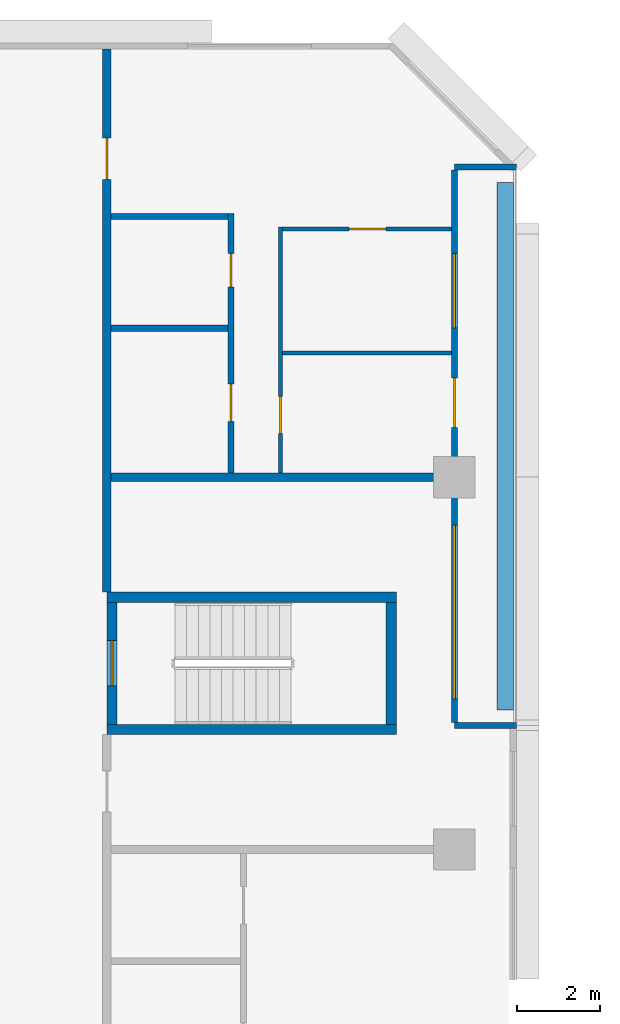
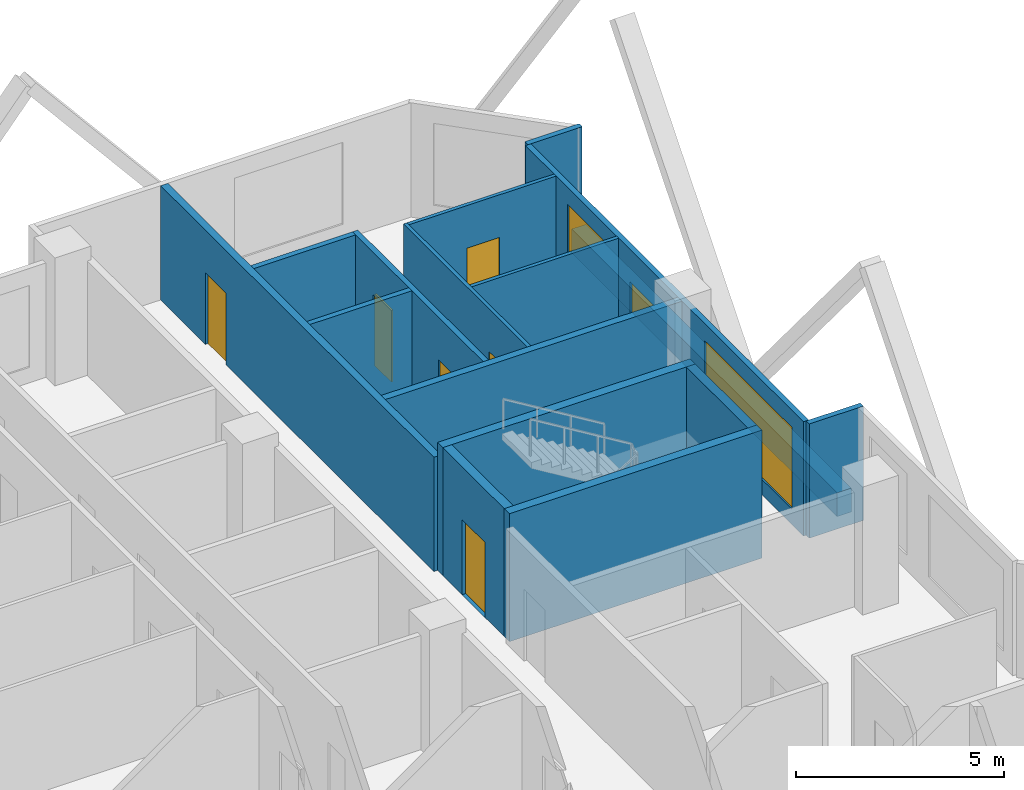
# One storey, part 11 of 15: 16 walls, 7 doors, 2 windows, 9 openings.
"""IFC4 building model written with IfcOpenShell, lengths in metres."""

from ifc_helpers import new_model, si_unit, direction, frame, frame_2d, origin, place, context, subcontext, project, spatial, rectangle, extrude, material, layer, layer_set, type_object, element, fill, save


model = new_model("IFC4")

# Units and contexts
model_context = context("Model", 3, precision=1e-05, world=origin(), true_north=direction((0.0, 1.0)))
body_context = subcontext(model_context, "Body", "Model", "MODEL_VIEW")
ifc_project = project(units=[si_unit("LENGTHUNIT", "METRE"), si_unit("AREAUNIT", "SQUARE_METRE"), si_unit("VOLUMEUNIT", "CUBIC_METRE"), si_unit("PLANEANGLEUNIT", "RADIAN"), si_unit("MASSUNIT", "GRAM", prefix="KILO")], contexts=[model_context])

# Site, building, storey
site_placement = place(None, origin())
site = spatial("IfcSite", under=ifc_project, at=site_placement, CompositionType="ELEMENT")
building_placement = place(site_placement, origin())
building = spatial("IfcBuilding", under=site, at=building_placement, Name="Chenar Terraces", CompositionType="ELEMENT")
storey_placement = place(building_placement, frame((0.0, 0.0, 121.89990234375)))
storey = spatial("IfcBuildingStorey", under=building, at=storey_placement, Name="L28", CompositionType="ELEMENT", Elevation=121.89990234375)

# Walls
ifc_material_1 = material(Name="Concrete C70/85", Category="concrete")
ifc_layer_1 = layer(ifc_material_1, 0.25)
ifc_layer_set_1 = layer_set([ifc_layer_1], Name="Concrete C70/85")
wall_type_1 = type_object("IfcWallType", Name="Core wall 250 Concrete C70/85", PredefinedType="SHEAR", material=ifc_layer_set_1)
for number, where, z_axis, x_axis, name in (
    (1, (15.60009765625, 47.89990234375, 0.0), (0.0, 0.0, 1.0), (1.0, 0.0, 0.0), "Core wall ST4_S L28"),
    (2, (15.60009765625, 51.10009765625, 0.0), (0.0, 0.0, 1.0), (1.0, 0.0, 0.0), "Core wall ST4_N L28"),
):
    element("IfcWall", number, at=place(storey_placement, frame(where, z_axis=z_axis, x_axis=x_axis)), inside=storey, type_object=wall_type_1, Name=name, PredefinedType="SHEAR", context=body_context, shape_type="SweptSolid", body=[
        extrude(rectangle(XDim=7.0, YDim=0.25, at=frame_2d((3.5, 0.0))), origin(), (0.0, 0.0, 1.0), 3.75),
    ])

# Wall, opening, door
wall_1_placement = place(storey_placement, frame((15.72509765625, 48.02490234375, 0.0), z_axis=(0.0, 0.0, 1.0), x_axis=(0.0, 1.0, 0.0)))
wall_1 = element("IfcWall", 3, at=wall_1_placement, inside=storey, type_object=wall_type_1, Name="Core wall ST4_W L28", PredefinedType="SHEAR", context=body_context, shape_type="SweptSolid", body=[
    extrude(rectangle(XDim=2.9501953125, YDim=0.25, at=frame_2d((1.47509765625, 0.0))), origin(), (0.0, 0.0, 1.0), 3.75),
])
opening_1_placement = place(wall_1_placement, frame((0.925048828125, 0.0, 0.0)))
opening_1 = element("IfcOpeningElement", 4, at=opening_1_placement, cuts=wall_1, Name="Opening DL28-C9", PredefinedType="OPENING", context=body_context, shape_type="SweptSolid", body=[
    extrude(rectangle(XDim=1.10009765625, YDim=2.199951171875, at=frame_2d((0.550048828125, 1.10009765625))), frame((0.0, 0.135009765625, 0.0), z_axis=(0.0, -1.0, 0.0), x_axis=(1.0, 0.0, 0.0)), (0.0, 0.0, 1.0), 0.27001953125),
])
ifc_material_2 = material(Name="Steel-framed fire-resisting door leaf", Category="steel")
door_type_1 = type_object("IfcDoorType", Name="Stair fire door FD60 1100 x 2200", OperationType="SINGLE_SWING_LEFT", PredefinedType="DOOR", material=ifc_material_2)
door_1_placement = place(opening_1_placement, frame((1.10009765625, 0.0, 0.0), z_axis=(0.0, 0.0, 1.0), x_axis=(-1.0, 0.0, 0.0)))
door_1 = element("IfcDoor", 5, at=door_1_placement, inside=storey, type_object=door_type_1, Name="Stair door DL28-C9", OperationType="SINGLE_SWING_RIGHT", OverallHeight=2.199951171875, OverallWidth=1.10009765625, PredefinedType="DOOR", context=body_context, shape_type="SweptSolid", body=[
    extrude(rectangle(XDim=1.10009765625, YDim=2.199951171875, at=frame_2d((0.550048828125, 1.10009765625))), frame((0.0, 0.02490234375, 0.0), z_axis=(0.0, -1.0, 0.0), x_axis=(1.0, 0.0, 0.0)), (0.0, 0.0, 1.0), 0.050048828125),
])
fill(opening_1, door_1)

# Wall
wall_2_placement = place(storey_placement, frame((22.47509765625, 48.02490234375, 0.0), z_axis=(0.0, 0.0, 1.0), x_axis=(0.0, 1.0, 0.0)))
element("IfcWall", 6, at=wall_2_placement, inside=storey, type_object=wall_type_1, Name="Core wall ST4_E L28", PredefinedType="SHEAR", context=body_context, shape_type="SweptSolid", body=[
    extrude(rectangle(XDim=2.9501953125, YDim=0.25, at=frame_2d((1.47509765625, 0.0))), origin(), (0.0, 0.0, 1.0), 3.75),
])

# Wall, opening, door
ifc_material_3 = material(Name="Gypsum board on steel studs with fire boards", Category="steel")
ifc_layer_2 = layer(ifc_material_3, 0.199951171875)
ifc_layer_set_2 = layer_set([ifc_layer_2], Name="Gypsum board on steel studs with fire boards")
wall_type_2 = type_object("IfcWallType", Name="Corridor wall 200", PredefinedType="PARTITIONING", material=ifc_layer_set_2)
wall_3_placement = place(storey_placement, frame((15.60009765625, 51.22509765625, 0.0), z_axis=(0.0, 0.0, 1.0), x_axis=(0.0, 1.0, 0.0)))
wall_3 = element("IfcWall", 7, at=wall_3_placement, inside=storey, type_object=wall_type_2, Name="Partition L28-038", PredefinedType="PARTITIONING", context=body_context, shape_type="SweptSolid", body=[
    extrude(rectangle(XDim=13.125, YDim=0.199951171875, at=frame_2d((6.5625, 0.0))), origin(), (0.0, 0.0, 1.0), 3.35009765625),
])
opening_2_placement = place(wall_3_placement, frame((9.97509765625, 0.0, 0.0)))
opening_2 = element("IfcOpeningElement", 8, at=opening_2_placement, cuts=wall_3, Name="Opening DL28-31", PredefinedType="OPENING", context=body_context, shape_type="SweptSolid", body=[
    extrude(rectangle(XDim=1.0, YDim=2.10009765625, at=frame_2d((0.5, 1.050048828125))), frame((0.0, 0.10986328125, 0.0), z_axis=(0.0, -1.0, 0.0), x_axis=(1.0, 0.0, 0.0)), (0.0, 0.0, 1.0), 0.219970703125),
])
ifc_material_4 = material(Name="Steel-framed fire-resisting door leaf", Category="steel")
door_type_2 = type_object("IfcDoorType", Name="Fire door FD30S 1000 x 2100", OperationType="SINGLE_SWING_LEFT", PredefinedType="DOOR", material=ifc_material_4)
door_2_placement = place(opening_2_placement, frame((1.0, 0.0, 0.0), z_axis=(0.0, 0.0, 1.0), x_axis=(-1.0, 0.0, 0.0)))
door_2 = element("IfcDoor", 9, at=door_2_placement, inside=storey, type_object=door_type_2, Name="Door DL28-31", OperationType="SINGLE_SWING_RIGHT", OverallHeight=2.10009765625, OverallWidth=1.0, PredefinedType="DOOR", context=body_context, shape_type="SweptSolid", body=[
    extrude(rectangle(XDim=1.0, YDim=2.10009765625, at=frame_2d((0.5, 1.050048828125))), frame((0.0, 0.02490234375, 0.0), z_axis=(0.0, -1.0, 0.0), x_axis=(1.0, 0.0, 0.0)), (0.0, 0.0, 1.0), 0.050048828125),
])
fill(opening_2, door_2)

# Wall, openings, windows, door
ifc_material_5 = material(Name="Aluminium framed glazing", Category="aluminium")
ifc_layer_3 = layer(ifc_material_5, 0.14990234375)
ifc_layer_set_3 = layer_set([ifc_layer_3], Name="Aluminium framed glazing")
wall_type_3 = type_object("IfcWallType", Name="Glazed loggia back wall 150", PredefinedType="SOLIDWALL", material=ifc_layer_set_3)
wall_4_placement = place(storey_placement, frame((24.0, 48.074951171875, 0.0), z_axis=(0.0, 0.0, 1.0), x_axis=(0.0, 1.0, 0.0)))
wall_4 = element("IfcWall", 10, at=wall_4_placement, inside=storey, type_object=wall_type_3, Name="Glazed loggia back wall", PredefinedType="SOLIDWALL", context=body_context, shape_type="SweptSolid", body=[
    extrude(rectangle(XDim=13.35009765625, YDim=0.14990234375, at=frame_2d((6.675048828125, 0.0))), origin(), (0.0, 0.0, 1.0), 3.35009765625),
])
opening_3_placement = place(wall_4_placement, frame((0.5625, 0.0, 0.449951171875)))
opening_3 = element("IfcOpeningElement", 11, at=opening_3_placement, cuts=wall_4, Name="Opening W420x240", PredefinedType="OPENING", context=body_context, shape_type="SweptSolid", body=[
    extrude(rectangle(XDim=4.199951171875, YDim=2.39990234375, at=frame_2d((2.10009765625, 1.199951171875))), frame((0.0, 0.0849609375, 0.0), z_axis=(0.0, -1.0, 0.0), x_axis=(1.0, 0.0, 0.0)), (0.0, 0.0, 1.0), 0.169921875),
])
opening_4_placement = place(wall_4_placement, frame((7.125, 0.0, 0.0)))
opening_4 = element("IfcOpeningElement", 12, at=opening_4_placement, cuts=wall_4, Name="Opening DL28-G2", PredefinedType="OPENING", context=body_context, shape_type="SweptSolid", body=[
    extrude(rectangle(XDim=1.199951171875, YDim=2.39990234375, at=frame_2d((0.60009765625, 1.199951171875))), frame((0.0, 0.0849609375, 0.0), z_axis=(0.0, -1.0, 0.0), x_axis=(1.0, 0.0, 0.0)), (0.0, 0.0, 1.0), 0.169921875),
])
opening_5_placement = place(wall_4_placement, frame((9.52490234375, 0.0, 0.449951171875)))
opening_5 = element("IfcOpeningElement", 13, at=opening_5_placement, cuts=wall_4, Name="Opening W180x240", PredefinedType="OPENING", context=body_context, shape_type="SweptSolid", body=[
    extrude(rectangle(XDim=1.800048828125, YDim=2.39990234375, at=frame_2d((0.89990234375, 1.199951171875))), frame((0.0, 0.0849609375, 0.0), z_axis=(0.0, -1.0, 0.0), x_axis=(1.0, 0.0, 0.0)), (0.0, 0.0, 1.0), 0.169921875),
])
ifc_material_6 = material(Name="Low emissivity double glazing, aluminium frame", Category="aluminium")
window_type_1 = type_object("IfcWindowType", Name="Fixed light 1800 x 2400", PartitioningType="SINGLE_PANEL", PredefinedType="WINDOW", material=ifc_material_6)
window_1_placement = place(opening_5_placement, origin())
window_1 = element("IfcWindow", 14, at=window_1_placement, inside=storey, type_object=window_type_1, Name="Window", OverallHeight=2.39990234375, OverallWidth=1.800048828125, PartitioningType="SINGLE_PANEL", PredefinedType="WINDOW", context=body_context, shape_type="SweptSolid", body=[
    extrude(rectangle(XDim=1.800048828125, YDim=2.39990234375, at=frame_2d((0.89990234375, 1.199951171875))), frame((0.0, 0.030029296875, 0.0), z_axis=(0.0, -1.0, 0.0), x_axis=(1.0, 0.0, 0.0)), (0.0, 0.0, 1.0), 0.06005859375),
])
fill(opening_5, window_1)
ifc_material_7 = material(Name="Low emissivity double glazing, aluminium frame", Category="aluminium")
window_type_2 = type_object("IfcWindowType", Name="Fixed light 4200 x 2400", PartitioningType="SINGLE_PANEL", PredefinedType="WINDOW", material=ifc_material_7)
window_2_placement = place(opening_3_placement, origin())
window_2 = element("IfcWindow", 15, at=window_2_placement, inside=storey, type_object=window_type_2, Name="Window", OverallHeight=2.39990234375, OverallWidth=4.199951171875, PartitioningType="SINGLE_PANEL", PredefinedType="WINDOW", context=body_context, shape_type="SweptSolid", body=[
    extrude(rectangle(XDim=4.199951171875, YDim=2.39990234375, at=frame_2d((2.10009765625, 1.199951171875))), frame((0.0, 0.030029296875, 0.0), z_axis=(0.0, -1.0, 0.0), x_axis=(1.0, 0.0, 0.0)), (0.0, 0.0, 1.0), 0.06005859375),
])
fill(opening_3, window_2)
ifc_material_8 = material(Name="Low emissivity double glazing, aluminium frame", Category="aluminium")
door_type_3 = type_object("IfcDoorType", Name="Loggia glazed double door 1200 x 2400", OperationType="DOUBLE_DOOR_SINGLE_SWING", PredefinedType="DOOR", material=ifc_material_8)
door_3_placement = place(opening_4_placement, frame((1.199951171875, 0.0, 0.0), z_axis=(0.0, 0.0, 1.0), x_axis=(-1.0, 0.0, 0.0)))
door_3 = element("IfcDoor", 16, at=door_3_placement, inside=storey, type_object=door_type_3, Name="Loggia glazed door", OperationType="DOUBLE_DOOR_SINGLE_SWING", OverallHeight=2.39990234375, OverallWidth=1.199951171875, PredefinedType="DOOR", context=body_context, shape_type="SweptSolid", body=[
    extrude(rectangle(XDim=1.199951171875, YDim=2.39990234375, at=frame_2d((0.60009765625, 1.199951171875))), frame((0.0, 0.02490234375, 0.0), z_axis=(0.0, -1.0, 0.0), x_axis=(1.0, 0.0, 0.0)), (0.0, 0.0, 1.0), 0.050048828125),
])
fill(opening_4, door_3)

# Wall, opening, door
ifc_material_9 = material(Name="Gypsum board on steel studs", Category="steel")
ifc_layer_4 = layer(ifc_material_9, 0.10009765625)
ifc_layer_set_4 = layer_set([ifc_layer_4], Name="Gypsum board on steel studs")
wall_type_4 = type_object("IfcWallType", Name="Gypsum partition 100", PredefinedType="PARTITIONING", material=ifc_layer_set_4)
wall_5_placement = place(storey_placement, frame((19.800048828125, 54.10009765625, 0.0), z_axis=(0.0, 0.0, 1.0), x_axis=(0.0, 1.0, 0.0)))
wall_5 = element("IfcWall", 17, at=wall_5_placement, inside=storey, type_object=wall_type_4, Name="Partition L28-050", PredefinedType="PARTITIONING", context=body_context, shape_type="SweptSolid", body=[
    extrude(rectangle(XDim=5.949951171875, YDim=0.10009765625, at=frame_2d((2.97509765625, 0.0))), origin(), (0.0, 0.0, 1.0), 3.35009765625),
])
opening_6_placement = place(wall_5_placement, frame((0.949951171875, 0.0, 0.0)))
opening_6 = element("IfcOpeningElement", 18, at=opening_6_placement, cuts=wall_5, Name="Opening DL28-28", PredefinedType="OPENING", context=body_context, shape_type="SweptSolid", body=[
    extrude(rectangle(XDim=0.89990234375, YDim=2.10009765625, at=frame_2d((0.449951171875, 1.050048828125))), frame((0.0, 0.06005859375, 0.0), z_axis=(0.0, -1.0, 0.0), x_axis=(1.0, 0.0, 0.0)), (0.0, 0.0, 1.0), 0.1201171875),
])
ifc_material_10 = material(Name="Veneered timber door leaf", Category="wood")
door_type_4 = type_object("IfcDoorType", Name="Door 900 x 2100", OperationType="SINGLE_SWING_LEFT", PredefinedType="DOOR", material=ifc_material_10)
door_4_placement = place(opening_6_placement, frame((0.89990234375, 0.0, 0.0), z_axis=(0.0, 0.0, 1.0), x_axis=(-1.0, 0.0, 0.0)))
door_4 = element("IfcDoor", 19, at=door_4_placement, inside=storey, type_object=door_type_4, Name="Door DL28-28", OperationType="SINGLE_SWING_LEFT", OverallHeight=2.10009765625, OverallWidth=0.89990234375, PredefinedType="DOOR", context=body_context, shape_type="SweptSolid", body=[
    extrude(rectangle(XDim=0.89990234375, YDim=2.10009765625, at=frame_2d((0.449951171875, 1.050048828125))), frame((0.0, 0.02490234375, 0.0), z_axis=(0.0, -1.0, 0.0), x_axis=(1.0, 0.0, 0.0)), (0.0, 0.0, 1.0), 0.050048828125),
])
fill(opening_6, door_4)

# Wall
wall_6_placement = place(storey_placement, frame((19.85009765625, 57.0, 0.0), z_axis=(0.0, 0.0, 1.0), x_axis=(1.0, 0.0, 0.0)))
element("IfcWall", 20, at=wall_6_placement, inside=storey, type_object=wall_type_4, Name="Partition L28-051", PredefinedType="PARTITIONING", context=body_context, shape_type="SweptSolid", body=[
    extrude(rectangle(XDim=4.075927734375, YDim=0.10009765625, at=frame_2d((2.0380859375, 0.0))), origin(), (0.0, 0.0, 1.0), 3.35009765625),
])

# Wall, opening, door
wall_7_placement = place(storey_placement, frame((19.85009765625, 60.0, 0.0), z_axis=(0.0, 0.0, 1.0), x_axis=(1.0, 0.0, 0.0)))
wall_7 = element("IfcWall", 21, at=wall_7_placement, inside=storey, type_object=wall_type_4, Name="Partition L28-052", PredefinedType="PARTITIONING", context=body_context, shape_type="SweptSolid", body=[
    extrude(rectangle(XDim=4.075927734375, YDim=0.10009765625, at=frame_2d((2.0380859375, 0.0))), origin(), (0.0, 0.0, 1.0), 3.35009765625),
])
opening_7_placement = place(wall_7_placement, frame((1.60009765625, 0.0, 0.0)))
opening_7 = element("IfcOpeningElement", 22, at=opening_7_placement, cuts=wall_7, Name="Opening DL28-29", PredefinedType="OPENING", context=body_context, shape_type="SweptSolid", body=[
    extrude(rectangle(XDim=0.89990234375, YDim=2.10009765625, at=frame_2d((0.449951171875, 1.050048828125))), frame((0.0, 0.06005859375, 0.0), z_axis=(0.0, -1.0, 0.0), x_axis=(1.0, 0.0, 0.0)), (0.0, 0.0, 1.0), 0.1201171875),
])
door_5_placement = place(opening_7_placement, frame((0.89990234375, 0.0, 0.0), z_axis=(0.0, 0.0, 1.0), x_axis=(-1.0, 0.0, 0.0)))
door_5 = element("IfcDoor", 23, at=door_5_placement, inside=storey, type_object=door_type_4, Name="Door DL28-29", OperationType="SINGLE_SWING_LEFT", OverallHeight=2.10009765625, OverallWidth=0.89990234375, PredefinedType="DOOR", context=body_context, shape_type="SweptSolid", body=[
    extrude(rectangle(XDim=0.89990234375, YDim=2.10009765625, at=frame_2d((0.449951171875, 1.050048828125))), frame((0.0, 0.02490234375, 0.0), z_axis=(0.0, -1.0, 0.0), x_axis=(1.0, 0.0, 0.0)), (0.0, 0.0, 1.0), 0.050048828125),
])
fill(opening_7, door_5)

# Walls
ifc_material_11 = material(Name="Terracotta cladding on insulated backing", Category="masonry")
ifc_layer_5 = layer(ifc_material_11, 0.14990234375)
ifc_layer_set_5 = layer_set([ifc_layer_5], Name="Terracotta cladding on insulated backing")
wall_type_5 = type_object("IfcWallType", Name="Loggia return wall 150", PredefinedType="SOLIDWALL", material=ifc_layer_set_5)
for number, where, z_axis, x_axis, name in (
    (24, (25.5, 48.0, 0.0), (0.0, 0.0, 1.0), (-1.0, 0.0, 0.0), "Loggia return wall"),
    (25, (25.5, 61.5, 0.0), (0.0, 0.0, 1.0), (-1.0, 0.0, 0.0), "Loggia return wall"),
):
    element("IfcWall", number, at=place(storey_placement, frame(where, z_axis=z_axis, x_axis=x_axis)), inside=storey, type_object=wall_type_5, Name=name, PredefinedType="SOLIDWALL", context=body_context, shape_type="SweptSolid", body=[
        extrude(rectangle(XDim=1.5, YDim=0.14990234375, at=frame_2d((0.75, 0.0))), origin(), (0.0, 0.0, 1.0), 3.35009765625),
    ])
ifc_material_12 = material(Name="Twin gypsum board on steel studs with mineral wool", Category="steel")
ifc_layer_6 = layer(ifc_material_12, 0.199951171875)
ifc_layer_set_6 = layer_set([ifc_layer_6], Name="Twin gypsum board on steel studs with mineral wool")
wall_type_6 = type_object("IfcWallType", Name="Unit demising wall 200", PredefinedType="PARTITIONING", material=ifc_layer_set_6)
wall_8_placement = place(storey_placement, frame((15.699951171875, 54.0, 0.0), z_axis=(0.0, 0.0, 1.0), x_axis=(1.0, 0.0, 0.0)))
element("IfcWall", 26, at=wall_8_placement, inside=storey, type_object=wall_type_6, Name="Partition L28-045", PredefinedType="PARTITIONING", context=body_context, shape_type="SweptSolid", body=[
    extrude(rectangle(XDim=8.22607421875, YDim=0.199951171875, at=frame_2d((4.113037109375, 0.0))), origin(), (0.0, 0.0, 1.0), 3.35009765625),
])
ifc_material_13 = material(Name="GRP planter trough")
ifc_layer_7 = layer(ifc_material_13, 0.39990234375)
ifc_layer_set_7 = layer_set([ifc_layer_7], Name="GRP planter trough")
wall_type_7 = type_object("IfcWallType", Name="Vertical greenery planter 400", PredefinedType="SOLIDWALL", material=ifc_layer_set_7)
wall_9_placement = place(storey_placement, frame((25.22900390625, 48.375, 0.0), z_axis=(0.0, 0.0, 1.0), x_axis=(0.0, 1.0, 0.0)))
element("IfcWall", 27, at=wall_9_placement, inside=storey, type_object=wall_type_7, Name="Vertical greenery planter", PredefinedType="SOLIDWALL", context=body_context, shape_type="SweptSolid", body=[
    extrude(rectangle(XDim=12.75, YDim=0.39990234375, at=frame_2d((6.375, 0.0))), origin(), (0.0, 0.0, 1.0), 0.7001953125),
])
ifc_material_14 = material(Name="Moisture-resistant gypsum board on steel studs", Category="steel")
ifc_layer_8 = layer(ifc_material_14, 0.14990234375)
ifc_layer_set_8 = layer_set([ifc_layer_8], Name="Moisture-resistant gypsum board on steel studs")
wall_type_8 = type_object("IfcWallType", Name="Wet-room partition 150", PredefinedType="PARTITIONING", material=ifc_layer_set_8)
for number, where, z_axis, x_axis, name in (
    (28, (15.699951171875, 57.60009765625, 0.0), (0.0, 0.0, 1.0), (1.0, 0.0, 0.0), "Partition L28-046"),
    (29, (15.699951171875, 60.300048828125, 0.0), (0.0, 0.0, 1.0), (1.0, 0.0, 0.0), "Partition L28-047"),
):
    element("IfcWall", number, at=place(storey_placement, frame(where, z_axis=z_axis, x_axis=x_axis)), inside=storey, type_object=wall_type_8, Name=name, PredefinedType="PARTITIONING", context=body_context, shape_type="SweptSolid", body=[
        extrude(rectangle(XDim=2.824951171875, YDim=0.14990234375, at=frame_2d((1.41259765625, 0.0))), origin(), (0.0, 0.0, 1.0), 3.35009765625),
    ])

# Wall, openings, doors
wall_10_placement = place(storey_placement, frame((18.60009765625, 54.10009765625, 0.0), z_axis=(0.0, 0.0, 1.0), x_axis=(0.0, 1.0, 0.0)))
wall_10 = element("IfcWall", 30, at=wall_10_placement, inside=storey, type_object=wall_type_8, Name="Partition L28-048", PredefinedType="PARTITIONING", context=body_context, shape_type="SweptSolid", body=[
    extrude(rectangle(XDim=6.27490234375, YDim=0.14990234375, at=frame_2d((3.137451171875, 0.0))), origin(), (0.0, 0.0, 1.0), 3.35009765625),
])
opening_8_placement = place(wall_10_placement, frame((4.5, 0.0, 0.0)))
opening_8 = element("IfcOpeningElement", 31, at=opening_8_placement, cuts=wall_10, Name="Opening DL28-27", PredefinedType="OPENING", context=body_context, shape_type="SweptSolid", body=[
    extrude(rectangle(XDim=0.800048828125, YDim=2.10009765625, at=frame_2d((0.39990234375, 1.050048828125))), frame((0.0, 0.0849609375, 0.0), z_axis=(0.0, -1.0, 0.0), x_axis=(1.0, 0.0, 0.0)), (0.0, 0.0, 1.0), 0.169921875),
])
opening_9_placement = place(wall_10_placement, frame((1.25, 0.0, 0.0)))
opening_9 = element("IfcOpeningElement", 32, at=opening_9_placement, cuts=wall_10, Name="Opening DL28-30", PredefinedType="OPENING", context=body_context, shape_type="SweptSolid", body=[
    extrude(rectangle(XDim=0.89990234375, YDim=2.10009765625, at=frame_2d((0.449951171875, 1.050048828125))), frame((0.0, 0.0849609375, 0.0), z_axis=(0.0, -1.0, 0.0), x_axis=(1.0, 0.0, 0.0)), (0.0, 0.0, 1.0), 0.169921875),
])
ifc_material_15 = material(Name="Veneered timber door leaf", Category="wood")
door_type_5 = type_object("IfcDoorType", Name="Door 800 x 2100", OperationType="SINGLE_SWING_LEFT", PredefinedType="DOOR", material=ifc_material_15)
door_6_placement = place(opening_8_placement, origin())
door_6 = element("IfcDoor", 33, at=door_6_placement, inside=storey, type_object=door_type_5, Name="Door DL28-27", OperationType="SINGLE_SWING_RIGHT", OverallHeight=2.10009765625, OverallWidth=0.800048828125, PredefinedType="DOOR", context=body_context, shape_type="SweptSolid", body=[
    extrude(rectangle(XDim=0.800048828125, YDim=2.10009765625, at=frame_2d((0.39990234375, 1.050048828125))), frame((0.0, 0.02490234375, 0.0), z_axis=(0.0, -1.0, 0.0), x_axis=(1.0, 0.0, 0.0)), (0.0, 0.0, 1.0), 0.050048828125),
])
fill(opening_8, door_6)
door_7_placement = place(opening_9_placement, origin())
door_7 = element("IfcDoor", 34, at=door_7_placement, inside=storey, type_object=door_type_4, Name="Door DL28-30", OperationType="SINGLE_SWING_RIGHT", OverallHeight=2.10009765625, OverallWidth=0.89990234375, PredefinedType="DOOR", context=body_context, shape_type="SweptSolid", body=[
    extrude(rectangle(XDim=0.89990234375, YDim=2.10009765625, at=frame_2d((0.449951171875, 1.050048828125))), frame((0.0, 0.02490234375, 0.0), z_axis=(0.0, -1.0, 0.0), x_axis=(1.0, 0.0, 0.0)), (0.0, 0.0, 1.0), 0.050048828125),
])
fill(opening_9, door_7)

save(model, "model.ifc")
